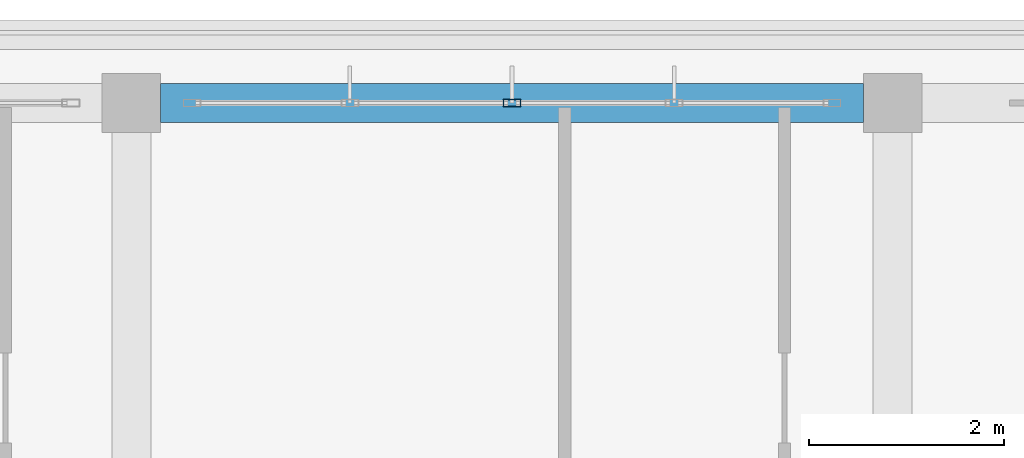
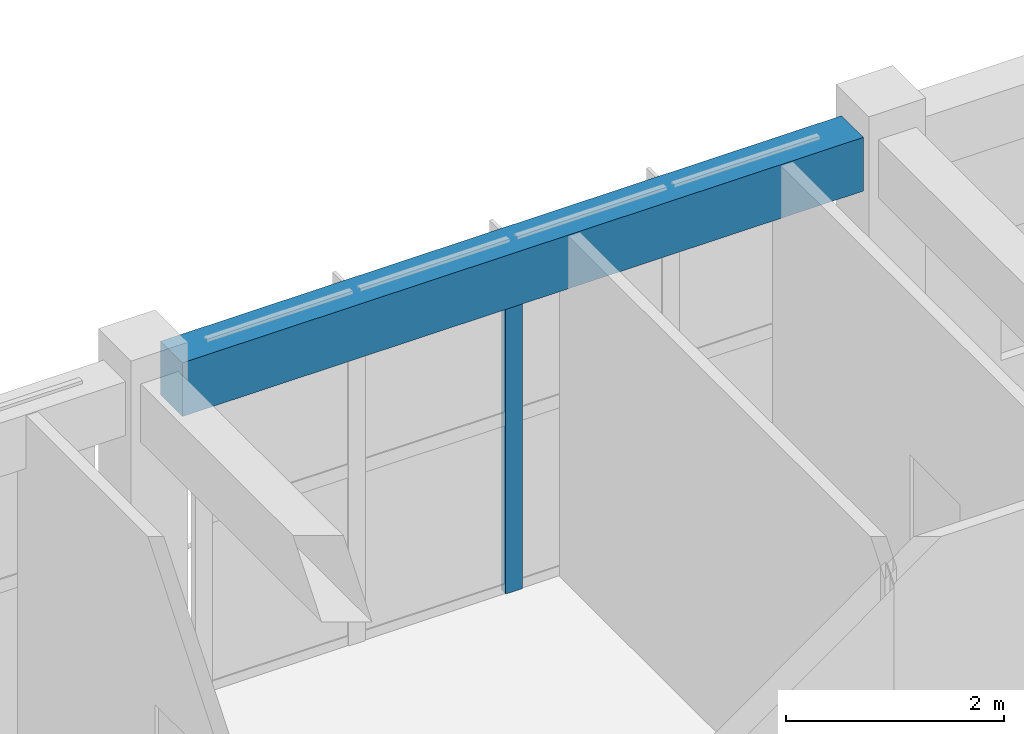
# One storey, part 27 of 56: 1 beam, 1 member, 1 element without a shape of its own.
"""IFC4 building model written with IfcOpenShell, lengths in metres."""

from ifc_helpers import new_model, si_unit, direction, frame, origin, origin_2d, place, context, subcontext, project, spatial, rectangle, hollow_rectangle, extrude, material, layer, layer_set, material_profile, profile_set, type_object, element, aggregate, save


model = new_model("IFC4")

# Units and contexts
model_context = context("Model", 3, precision=1e-05, world=origin(), true_north=direction((0.0, 1.0)))
body_context = subcontext(model_context, "Body", "Model", "MODEL_VIEW")
ifc_project = project(units=[si_unit("LENGTHUNIT", "METRE"), si_unit("AREAUNIT", "SQUARE_METRE"), si_unit("VOLUMEUNIT", "CUBIC_METRE"), si_unit("PLANEANGLEUNIT", "RADIAN"), si_unit("MASSUNIT", "GRAM", prefix="KILO")], contexts=[model_context])

# Site, building, storey
site_placement = place(None, origin())
site = spatial("IfcSite", under=ifc_project, at=site_placement, CompositionType="ELEMENT")
building_placement = place(site_placement, origin())
building = spatial("IfcBuilding", under=site, at=building_placement, Name="Zizhar Promenade General Hospital", CompositionType="ELEMENT")
storey_placement = place(building_placement, frame((0.0, 0.0, 26.39990234375)))
storey = spatial("IfcBuildingStorey", under=building, at=storey_placement, Name="L06", CompositionType="ELEMENT", Elevation=26.39990234375)

# Beam
ifc_material_1 = material(Name="Concrete C35/45", Category="concrete")
ifc_material_profile_1 = material_profile(ifc_material_1, rectangle(XDim=0.39990234375, YDim=0.60009765625, at=origin_2d()))
ifc_profile_set_1 = profile_set([ifc_material_profile_1], Name="Concrete C35/45")
beam_type = type_object("IfcBeamType", Name="BM-RC-400x600", PredefinedType="JOIST", material=ifc_profile_set_1)
beam_placement = place(storey_placement, frame((93.89990234375, 25.199951171875, 3.610107421875), z_axis=(1.0, 0.0, 0.0), x_axis=(0.0, 1.0, 0.0)))
element("IfcBeam", 1, at=beam_placement, inside=storey, type_object=beam_type, Name="Grid Beam X L06 (12-3)", PredefinedType="JOIST", context=body_context, shape_type="SweptSolid", body=[
    extrude(rectangle(XDim=0.39990234375, YDim=0.60009765625, at=origin_2d()), origin(), (0.0, 0.0, 1.0), 7.2001953125),
])

# Curtain wall, member
ifc_material_2 = material(Name="Anodised aluminium 6063-T6 and low-E glass", Category="aluminium")
ifc_layer = layer(ifc_material_2, 0.159912109375)
ifc_layer_set = layer_set([ifc_layer], Name="Anodised aluminium 6063-T6 and low-E glass")
curtain_wall_type = type_object("IfcCurtainWallType", Name="CW-WARD-RIB", PredefinedType="NOTDEFINED", material=ifc_layer_set)
curtain_wall_placement = place(storey_placement, origin())
curtain_wall = element("IfcCurtainWall", 2, at=curtain_wall_placement, inside=storey, type_object=curtain_wall_type, Name="Ward Ribbon Curtain Wall L06-8-8", PredefinedType="NOTDEFINED")
ifc_material_3 = material(Name="Anodised aluminium 6063-T6", Category="aluminium")
ifc_material_profile_2 = material_profile(ifc_material_3, hollow_rectangle(XDim=0.080078125, YDim=0.179931640625, WallThickness=0.0048828125, at=origin_2d()))
ifc_profile_set_2 = profile_set([ifc_material_profile_2], Name="Anodised aluminium 6063-T6")
member_type = type_object("IfcMemberType", Name="CWM-ALU-180x80", PredefinedType="MULLION", material=ifc_profile_set_2)
member_placement = place(storey_placement, frame((97.5, 25.199951171875, 0.0), z_axis=(0.0, 0.0, 1.0), x_axis=(0.0, 1.0, 0.0)))
member = element("IfcMember", 3, at=member_placement, type_object=member_type, Name="CW-13 mullion 3", PredefinedType="MULLION", context=body_context, shape_type="SweptSolid", body=[
    extrude(hollow_rectangle(XDim=0.080078125, YDim=0.179931640625, WallThickness=0.0048828125, at=origin_2d()), origin(), (0.0, 0.0, 1.0), 3.900146484375),
])
aggregate(curtain_wall, [member])

save(model, "model.ifc")
